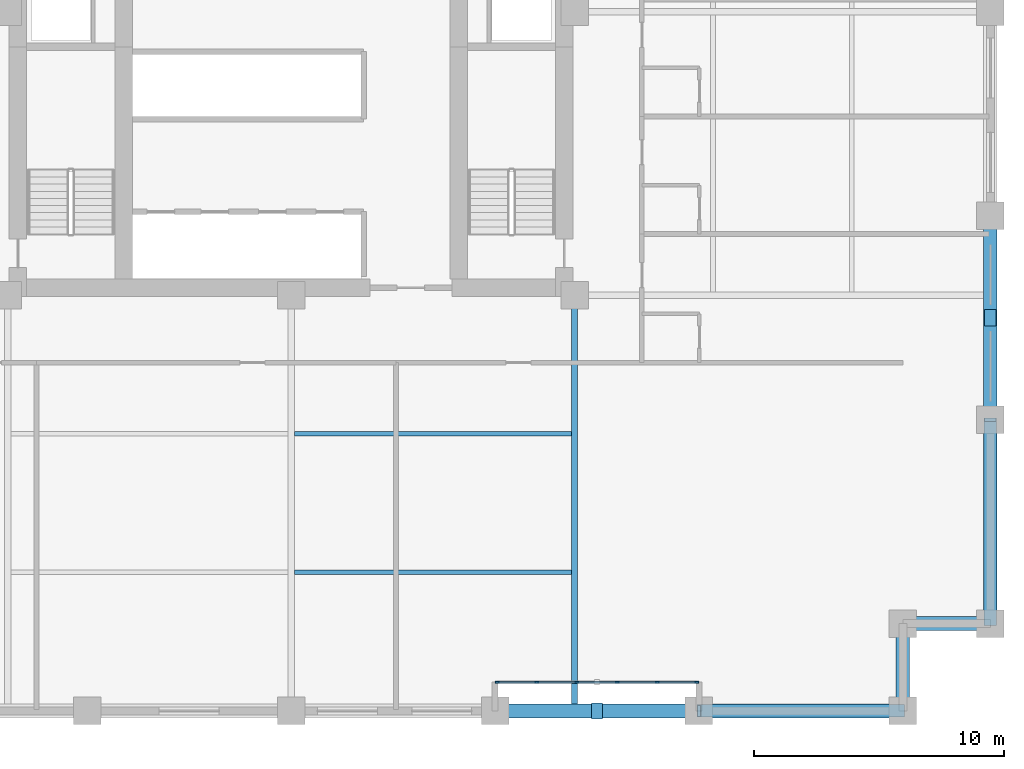
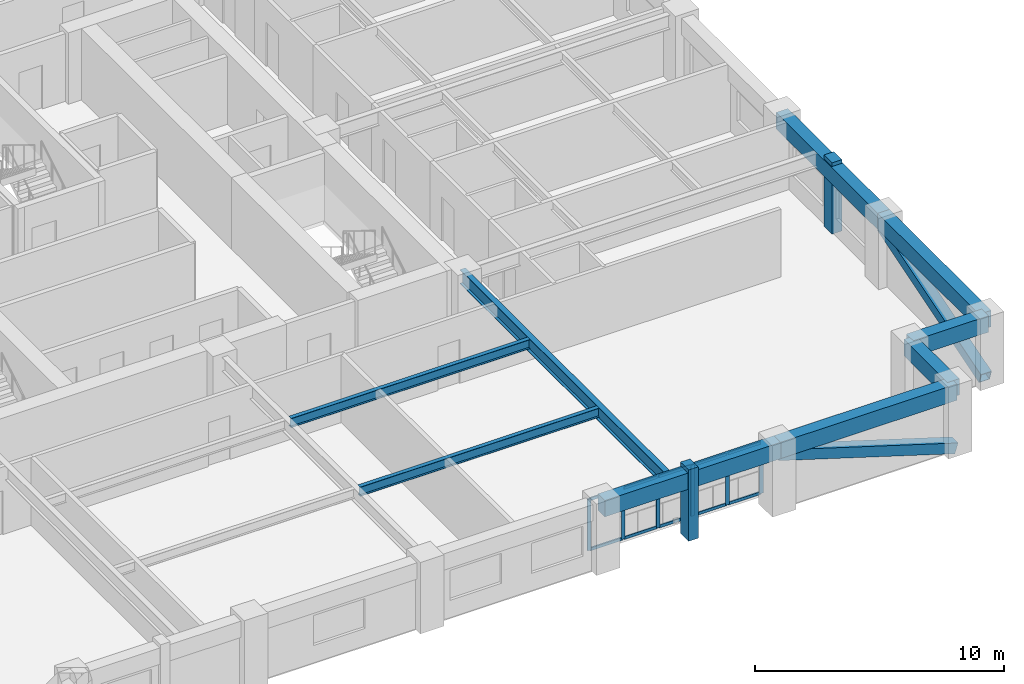
# One storey, part 2 of 11: 20 members, 9 beams, 1 element without a shape of its own.
"""IFC4 building model written with IfcOpenShell, lengths in metres."""

from ifc_helpers import new_model, si_unit, direction, frame, origin, origin_2d, place, context, subcontext, project, spatial, rectangle, hollow_rectangle, i_section, extrude, material, layer, layer_set, material_profile, profile_set, type_object, element, aggregate, save


model = new_model("IFC4")

# Units and contexts
model_context = context("Model", 3, precision=1e-05, world=origin(), true_north=direction((0.0, 1.0)))
body_context = subcontext(model_context, "Body", "Model", "MODEL_VIEW")
ifc_project = project(units=[si_unit("LENGTHUNIT", "METRE"), si_unit("AREAUNIT", "SQUARE_METRE"), si_unit("VOLUMEUNIT", "CUBIC_METRE"), si_unit("PLANEANGLEUNIT", "RADIAN"), si_unit("MASSUNIT", "GRAM", prefix="KILO")], contexts=[model_context])

# Site, building, storey
site_placement = place(None, origin())
site = spatial("IfcSite", under=ifc_project, at=site_placement, CompositionType="ELEMENT")
building_placement = place(site_placement, origin())
building = spatial("IfcBuilding", under=site, at=building_placement, Name="Nhamokura Convention Tower", CompositionType="ELEMENT")
storey_placement = place(building_placement, frame((0.0, 0.0, 70.35009765625)))
storey = spatial("IfcBuildingStorey", under=building, at=storey_placement, Name="L16", CompositionType="ELEMENT", Elevation=70.35009765625)

# Members
ifc_material_1 = material(Name="Bronze-pigmented precast concrete C45/55", Category="concrete")
ifc_material_profile_1 = material_profile(ifc_material_1, rectangle(XDim=0.449951171875, YDim=0.64990234375, at=origin_2d()))
ifc_profile_set_1 = profile_set([ifc_material_profile_1], Name="Bronze-pigmented precast concrete C45/55")
member_type_1 = type_object("IfcMemberType", Name="BronzePilaster_650", PredefinedType="USERDEFINED", material=ifc_profile_set_1)
for number, where, z_axis, x_axis, name in (
    (1, (44.25, 4.0, 0.0), (0.0, 0.0, 1.0), (1.0, 0.0, 0.0), "L16 Engaged Frame Pilaster SOUTH 4"),
    (2, (60.0, 19.75, 0.0), (0.0, 0.0, 1.0), (1.0, 0.0, 0.0), "L16 Engaged Frame Pilaster EAST 1"),
):
    element("IfcMember", number, at=place(storey_placement, frame(where, z_axis=z_axis, x_axis=x_axis)), inside=storey, type_object=member_type_1, Name=name, ObjectType="PILASTER_TRIM", PredefinedType="USERDEFINED", context=body_context, shape_type="SweptSolid", body=[
        extrude(rectangle(XDim=0.449951171875, YDim=0.64990234375, at=origin_2d()), origin(), (0.0, 0.0, 1.0), 3.5),
    ])

# Curtain wall, members
ifc_material_2 = material(Name="Anodised bronze aluminium AA6063-T6", Category="aluminium")
ifc_layer = layer(ifc_material_2, 0.1650390625)
ifc_layer_set = layer_set([ifc_layer], Name="CWSystem_ScaleSlot_Zone1")
curtain_wall_type = type_object("IfcCurtainWallType", Name="CWSystem_ScaleSlot_Zone1", PredefinedType="NOTDEFINED", material=ifc_layer_set)
curtain_wall_placement = place(storey_placement, origin())
curtain_wall = element("IfcCurtainWall", 3, at=curtain_wall_placement, inside=storey, type_object=curtain_wall_type, Name="L16 Curtain Wall ENV-L16-SLOT-S4", PredefinedType="NOTDEFINED")
ifc_material_3 = material(Name="Anodised bronze aluminium AA6063-T6", Category="aluminium")
ifc_material_profile_2 = material_profile(ifc_material_3, rectangle(XDim=0.06494140625, YDim=0.1650390625, at=origin_2d()))
ifc_profile_set_2 = profile_set([ifc_material_profile_2], Name="Anodised bronze aluminium AA6063-T6")
member_type_2 = type_object("IfcMemberType", Name="CWMullion_3", PredefinedType="MULLION", material=ifc_profile_set_2)
member_1_placement = place(storey_placement, frame((48.24072265625, 5.14990234375, 0.0), z_axis=(0.0, 0.0, 1.0), x_axis=(0.0, -1.0, 0.0)))
member_1 = element("IfcMember", 4, at=member_1_placement, type_object=member_type_2, Name="CW-03 mullion 1", PredefinedType="MULLION", context=body_context, shape_type="SweptSolid", body=[
    extrude(rectangle(XDim=0.06494140625, YDim=0.1650390625, at=origin_2d()), origin(), (0.0, 0.0, 1.0), 2.52001953125),
])
member_2_placement = place(storey_placement, frame((46.6640625, 5.14990234375, 0.0), z_axis=(0.0, 0.0, 1.0), x_axis=(0.0, -1.0, 0.0)))
member_2 = element("IfcMember", 5, at=member_2_placement, type_object=member_type_2, Name="CW-03 mullion 2", PredefinedType="MULLION", context=body_context, shape_type="SweptSolid", body=[
    extrude(rectangle(XDim=0.06494140625, YDim=0.1650390625, at=origin_2d()), origin(), (0.0, 0.0, 1.0), 2.52001953125),
])
member_3_placement = place(storey_placement, frame((45.0546875, 5.14990234375, 0.0), z_axis=(0.0, 0.0, 1.0), x_axis=(0.0, -1.0, 0.0)))
member_3 = element("IfcMember", 6, at=member_3_placement, type_object=member_type_2, Name="CW-03 mullion 3", PredefinedType="MULLION", context=body_context, shape_type="SweptSolid", body=[
    extrude(rectangle(XDim=0.06494140625, YDim=0.1650390625, at=origin_2d()), origin(), (0.0, 0.0, 1.0), 2.52001953125),
])
member_4_placement = place(storey_placement, frame((43.4453125, 5.14990234375, 0.0), z_axis=(0.0, 0.0, 1.0), x_axis=(0.0, -1.0, 0.0)))
member_4 = element("IfcMember", 7, at=member_4_placement, type_object=member_type_2, Name="CW-03 mullion 4", PredefinedType="MULLION", context=body_context, shape_type="SweptSolid", body=[
    extrude(rectangle(XDim=0.06494140625, YDim=0.1650390625, at=origin_2d()), origin(), (0.0, 0.0, 1.0), 2.52001953125),
])
member_5_placement = place(storey_placement, frame((41.8359375, 5.14990234375, 0.0), z_axis=(0.0, 0.0, 1.0), x_axis=(0.0, -1.0, 0.0)))
member_5 = element("IfcMember", 8, at=member_5_placement, type_object=member_type_2, Name="CW-03 mullion 5", PredefinedType="MULLION", context=body_context, shape_type="SweptSolid", body=[
    extrude(rectangle(XDim=0.06494140625, YDim=0.1650390625, at=origin_2d()), origin(), (0.0, 0.0, 1.0), 2.52001953125),
])
member_6_placement = place(storey_placement, frame((40.25927734375, 5.14990234375, 0.0), z_axis=(0.0, 0.0, 1.0), x_axis=(0.0, -1.0, 0.0)))
member_6 = element("IfcMember", 9, at=member_6_placement, type_object=member_type_2, Name="CW-03 mullion 6", PredefinedType="MULLION", context=body_context, shape_type="SweptSolid", body=[
    extrude(rectangle(XDim=0.06494140625, YDim=0.1650390625, at=origin_2d()), origin(), (0.0, 0.0, 1.0), 2.52001953125),
])
ifc_material_4 = material(Name="Anodised bronze aluminium AA6063-T6", Category="aluminium")
ifc_material_profile_3 = material_profile(ifc_material_4, rectangle(XDim=0.06494140625, YDim=0.139892578125, at=origin_2d()))
ifc_profile_set_3 = profile_set([ifc_material_profile_3], Name="Anodised bronze aluminium AA6063-T6")
member_type_3 = type_object("IfcMemberType", Name="CWTransom_3", PredefinedType="USERDEFINED", material=ifc_profile_set_3)
member_7_placement = place(storey_placement, frame((48.208251953125, 5.14990234375, 0.032470703125), z_axis=(-1.0, 0.0, 0.0), x_axis=(0.0, -1.0, 0.0)))
member_7 = element("IfcMember", 10, at=member_7_placement, type_object=member_type_3, Name="CW-03 transom 1.1", ObjectType="TRANSOM", PredefinedType="USERDEFINED", context=body_context, shape_type="SweptSolid", body=[
    extrude(rectangle(XDim=0.06494140625, YDim=0.139892578125, at=origin_2d()), origin(), (0.0, 0.0, 1.0), 1.51171875),
])
member_8_placement = place(storey_placement, frame((48.208251953125, 5.14990234375, 2.4873046875), z_axis=(-1.0, 0.0, 0.0), x_axis=(0.0, -1.0, 0.0)))
member_8 = element("IfcMember", 11, at=member_8_placement, type_object=member_type_3, Name="CW-03 transom 1.2", ObjectType="TRANSOM", PredefinedType="USERDEFINED", context=body_context, shape_type="SweptSolid", body=[
    extrude(rectangle(XDim=0.06494140625, YDim=0.139892578125, at=origin_2d()), origin(), (0.0, 0.0, 1.0), 1.51171875),
])
member_9_placement = place(storey_placement, frame((46.631591796875, 5.14990234375, 0.032470703125), z_axis=(-1.0, 0.0, 0.0), x_axis=(0.0, -1.0, 0.0)))
member_9 = element("IfcMember", 12, at=member_9_placement, type_object=member_type_3, Name="CW-03 transom 2.1", ObjectType="TRANSOM", PredefinedType="USERDEFINED", context=body_context, shape_type="SweptSolid", body=[
    extrude(rectangle(XDim=0.06494140625, YDim=0.139892578125, at=origin_2d()), origin(), (0.0, 0.0, 1.0), 1.54443359375),
])
member_10_placement = place(storey_placement, frame((46.631591796875, 5.14990234375, 2.4873046875), z_axis=(-1.0, 0.0, 0.0), x_axis=(0.0, -1.0, 0.0)))
member_10 = element("IfcMember", 13, at=member_10_placement, type_object=member_type_3, Name="CW-03 transom 2.2", ObjectType="TRANSOM", PredefinedType="USERDEFINED", context=body_context, shape_type="SweptSolid", body=[
    extrude(rectangle(XDim=0.06494140625, YDim=0.139892578125, at=origin_2d()), origin(), (0.0, 0.0, 1.0), 1.54443359375),
])
member_11_placement = place(storey_placement, frame((45.022216796875, 5.14990234375, 0.032470703125), z_axis=(-1.0, 0.0, 0.0), x_axis=(0.0, -1.0, 0.0)))
member_11 = element("IfcMember", 14, at=member_11_placement, type_object=member_type_3, Name="CW-03 transom 3.1", ObjectType="TRANSOM", PredefinedType="USERDEFINED", context=body_context, shape_type="SweptSolid", body=[
    extrude(rectangle(XDim=0.06494140625, YDim=0.139892578125, at=origin_2d()), origin(), (0.0, 0.0, 1.0), 1.54443359375),
])
member_12_placement = place(storey_placement, frame((45.022216796875, 5.14990234375, 2.4873046875), z_axis=(-1.0, 0.0, 0.0), x_axis=(0.0, -1.0, 0.0)))
member_12 = element("IfcMember", 15, at=member_12_placement, type_object=member_type_3, Name="CW-03 transom 3.2", ObjectType="TRANSOM", PredefinedType="USERDEFINED", context=body_context, shape_type="SweptSolid", body=[
    extrude(rectangle(XDim=0.06494140625, YDim=0.139892578125, at=origin_2d()), origin(), (0.0, 0.0, 1.0), 1.54443359375),
])
member_13_placement = place(storey_placement, frame((43.412841796875, 5.14990234375, 0.032470703125), z_axis=(-1.0, 0.0, 0.0), x_axis=(0.0, -1.0, 0.0)))
member_13 = element("IfcMember", 16, at=member_13_placement, type_object=member_type_3, Name="CW-03 transom 4.1", ObjectType="TRANSOM", PredefinedType="USERDEFINED", context=body_context, shape_type="SweptSolid", body=[
    extrude(rectangle(XDim=0.06494140625, YDim=0.139892578125, at=origin_2d()), origin(), (0.0, 0.0, 1.0), 1.54443359375),
])
member_14_placement = place(storey_placement, frame((43.412841796875, 5.14990234375, 2.4873046875), z_axis=(-1.0, 0.0, 0.0), x_axis=(0.0, -1.0, 0.0)))
member_14 = element("IfcMember", 17, at=member_14_placement, type_object=member_type_3, Name="CW-03 transom 4.2", ObjectType="TRANSOM", PredefinedType="USERDEFINED", context=body_context, shape_type="SweptSolid", body=[
    extrude(rectangle(XDim=0.06494140625, YDim=0.139892578125, at=origin_2d()), origin(), (0.0, 0.0, 1.0), 1.54443359375),
])
member_15_placement = place(storey_placement, frame((41.803466796875, 5.14990234375, 0.032470703125), z_axis=(-1.0, 0.0, 0.0), x_axis=(0.0, -1.0, 0.0)))
member_15 = element("IfcMember", 18, at=member_15_placement, type_object=member_type_3, Name="CW-03 transom 5.1", ObjectType="TRANSOM", PredefinedType="USERDEFINED", context=body_context, shape_type="SweptSolid", body=[
    extrude(rectangle(XDim=0.06494140625, YDim=0.139892578125, at=origin_2d()), origin(), (0.0, 0.0, 1.0), 1.51171875),
])
member_16_placement = place(storey_placement, frame((41.803466796875, 5.14990234375, 2.4873046875), z_axis=(-1.0, 0.0, 0.0), x_axis=(0.0, -1.0, 0.0)))
member_16 = element("IfcMember", 19, at=member_16_placement, type_object=member_type_3, Name="CW-03 transom 5.2", ObjectType="TRANSOM", PredefinedType="USERDEFINED", context=body_context, shape_type="SweptSolid", body=[
    extrude(rectangle(XDim=0.06494140625, YDim=0.139892578125, at=origin_2d()), origin(), (0.0, 0.0, 1.0), 1.51171875),
])
aggregate(curtain_wall, [member_1, member_2, member_3, member_4, member_5, member_6, member_7, member_8, member_9, member_10, member_11, member_12, member_13, member_14, member_15, member_16])

# Beams
ifc_material_5 = material(Name="Steel ASTM A992 Gr 50", Category="steel")
ifc_material_profile_4 = material_profile(ifc_material_5, i_section(OverallWidth=0.18994140625, OverallDepth=0.45703125, WebThickness=0.009033203125, FlangeThickness=0.014404296875, at=origin_2d()))
ifc_profile_set_4 = profile_set([ifc_material_profile_4], Name="Steel ASTM A992 Gr 50")
beam_type_1 = type_object("IfcBeamType", Name="FloorJoist_W460X74", PredefinedType="JOIST", material=ifc_profile_set_4)
for number, where, z_axis, x_axis, name in (
    (20, (32.1259765625, 9.550048828125, 3.09130859375), (1.0, 0.0, 0.0), (0.0, 1.0, 0.0), "L16 Composite Floor Joist S1B"),
    (21, (32.1259765625, 15.10009765625, 3.09130859375), (1.0, 0.0, 0.0), (0.0, 1.0, 0.0), "L16 Composite Floor Joist S2B"),
):
    element("IfcBeam", number, at=place(storey_placement, frame(where, z_axis=z_axis, x_axis=x_axis)), inside=storey, type_object=beam_type_1, Name=name, PredefinedType="JOIST", context=body_context, shape_type="SweptSolid", body=[
        extrude(i_section(OverallWidth=0.18994140625, OverallDepth=0.45703125, WebThickness=0.009033203125, FlangeThickness=0.014404296875, at=origin_2d()), origin(), (0.0, 0.0, 1.0), 11.09814453125),
    ])
ifc_material_6 = material(Name="Steel ASTM A992 Gr 50", Category="steel")
ifc_material_profile_5 = material_profile(ifc_material_6, i_section(OverallWidth=0.256103515625, OverallDepth=0.693115234375, WebThickness=0.014404296875, FlangeThickness=0.023681640625, at=origin_2d()))
ifc_profile_set_5 = profile_set([ifc_material_profile_5], Name="Steel ASTM A992 Gr 50")
beam_type_2 = type_object("IfcBeamType", Name="PrimaryGirder_W690X170", PredefinedType="BEAM", material=ifc_profile_set_5)
beam_1_placement = place(storey_placement, frame((43.35009765625, 4.0, 2.973388671875), z_axis=(0.0, 1.0, 0.0), x_axis=(-1.0, 0.0, 0.0)))
element("IfcBeam", 22, at=beam_1_placement, inside=storey, type_object=beam_type_2, Name="L16 Primary Floor Girder PG-S3", PredefinedType="BEAM", context=body_context, shape_type="SweptSolid", body=[
    extrude(i_section(OverallWidth=0.256103515625, OverallDepth=0.693115234375, WebThickness=0.014404296875, FlangeThickness=0.023681640625, at=origin_2d()), origin(), (0.0, 0.0, 1.0), 16.64990234375),
])

# Members
ifc_material_7 = material(Name="Steel ASTM A572 Gr 50", Category="steel")
ifc_material_profile_6 = material_profile(ifc_material_7, hollow_rectangle(XDim=0.5, YDim=0.5, WallThickness=0.02490234375, at=origin_2d()))
ifc_profile_set_6 = profile_set([ifc_material_profile_6], Name="Steel ASTM A572 Gr 50")
member_type_4 = type_object("IfcMemberType", Name="TubeBrace_HSS500", PredefinedType="BRACE", material=ifc_profile_set_6)
for number, where, z_axis, x_axis, name in (
    (23, (56.5, 4.0, 0.14990234375), (-0.955542765986, 0.0, 0.294852543437), (0.0, -1.0, 0.0), "L16 Perimeter Tube Brace SOUTH Bay 5"),
    (24, (60.0, 7.5, 0.14990234375), (0.0, 0.955542765986, 0.294852543437), (-1.0, 0.0, 0.0), "L16 Perimeter Tube Brace EAST Bay 0"),
):
    element("IfcMember", number, at=place(storey_placement, frame(where, z_axis=z_axis, x_axis=x_axis)), inside=storey, type_object=member_type_4, Name=name, PredefinedType="BRACE", context=body_context, shape_type="SweptSolid", body=[
        extrude(hollow_rectangle(XDim=0.5, YDim=0.5, WallThickness=0.02490234375, at=origin_2d()), origin(), (0.0, 0.0, 1.0), 8.546630859375),
    ])

# Beams
ifc_material_8 = material(Name="Concrete C50/60", Category="concrete")
ifc_material_profile_7 = material_profile(ifc_material_8, rectangle(XDim=0.550048828125, YDim=0.800048828125, at=origin_2d()))
ifc_profile_set_7 = profile_set([ifc_material_profile_7], Name="Concrete C50/60")
beam_type_3 = type_object("IfcBeamType", Name="TubeSpandrel_800", PredefinedType="SPANDREL", material=ifc_profile_set_7)
beam_2_placement = place(storey_placement, frame((40.166748046875, 4.0, 2.919921875), z_axis=(1.0, 0.0, 0.0), x_axis=(0.0, 1.0, 0.0)))
element("IfcBeam", 25, at=beam_2_placement, inside=storey, type_object=beam_type_3, Name="L16 Perimeter Spandrel SOUTH 5", PredefinedType="SPANDREL", context=body_context, shape_type="SweptSolid", body=[
    extrude(rectangle(XDim=0.550048828125, YDim=0.800048828125, at=origin_2d()), origin(), (0.0, 0.0, 1.0), 8.16650390625),
])
for number, where, z_axis, x_axis, name in (
    (26, (48.333251953125, 4.0, 2.919921875), (1.0, 0.0, 0.0), (0.0, 1.0, 0.0), "L16 Perimeter Spandrel SOUTH 6"),
    (27, (60.0, 7.5, 2.919921875), (0.0, 1.0, 0.0), (-1.0, 0.0, 0.0), "L16 Perimeter Spandrel EAST 1"),
):
    element("IfcBeam", number, at=place(storey_placement, frame(where, z_axis=z_axis, x_axis=x_axis)), inside=storey, type_object=beam_type_3, Name=name, PredefinedType="SPANDREL", context=body_context, shape_type="SweptSolid", body=[
        extrude(rectangle(XDim=0.550048828125, YDim=0.800048828125, at=origin_2d()), origin(), (0.0, 0.0, 1.0), 8.166748046875),
    ])
beam_3_placement = place(storey_placement, frame((60.0, 15.666748046875, 2.919921875), z_axis=(0.0, 1.0, 0.0), x_axis=(-1.0, 0.0, 0.0)))
element("IfcBeam", 28, at=beam_3_placement, inside=storey, type_object=beam_type_3, Name="L16 Perimeter Spandrel EAST 2", PredefinedType="SPANDREL", context=body_context, shape_type="SweptSolid", body=[
    extrude(rectangle(XDim=0.550048828125, YDim=0.800048828125, at=origin_2d()), origin(), (0.0, 0.0, 1.0), 8.16650390625),
])
for number, where, z_axis, x_axis, name in (
    (29, (56.5, 4.0, 2.919921875), (0.0, 1.0, 0.0), (-1.0, 0.0, 0.0), "L16 Notch Spandrel SE1"),
    (30, (56.5, 7.5, 2.919921875), (1.0, 0.0, 0.0), (0.0, 1.0, 0.0), "L16 Notch Spandrel SE2"),
):
    element("IfcBeam", number, at=place(storey_placement, frame(where, z_axis=z_axis, x_axis=x_axis)), inside=storey, type_object=beam_type_3, Name=name, PredefinedType="SPANDREL", context=body_context, shape_type="SweptSolid", body=[
        extrude(rectangle(XDim=0.550048828125, YDim=0.800048828125, at=origin_2d()), origin(), (0.0, 0.0, 1.0), 3.5),
    ])

save(model, "model.ifc")
